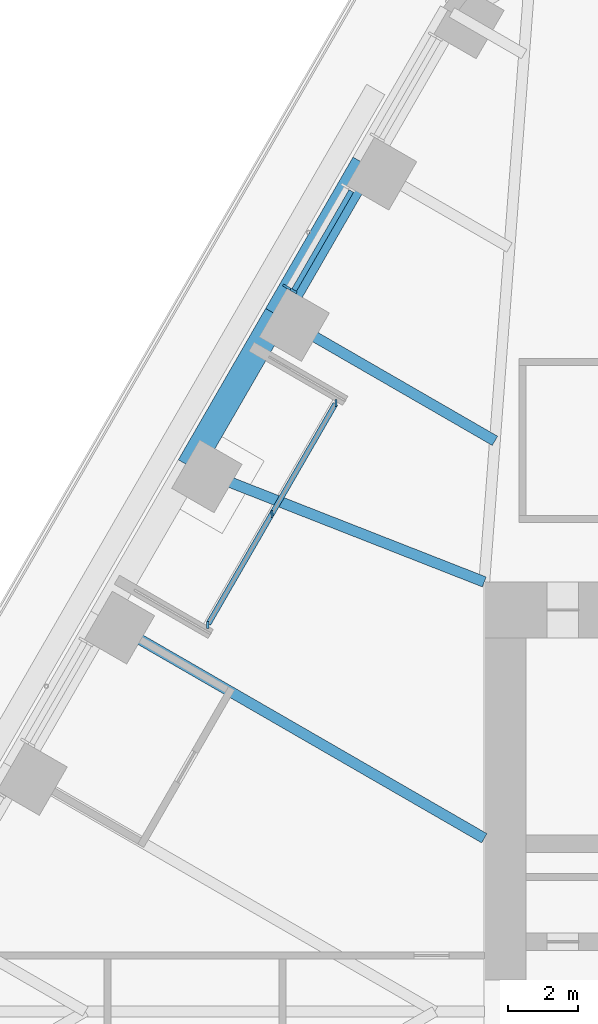
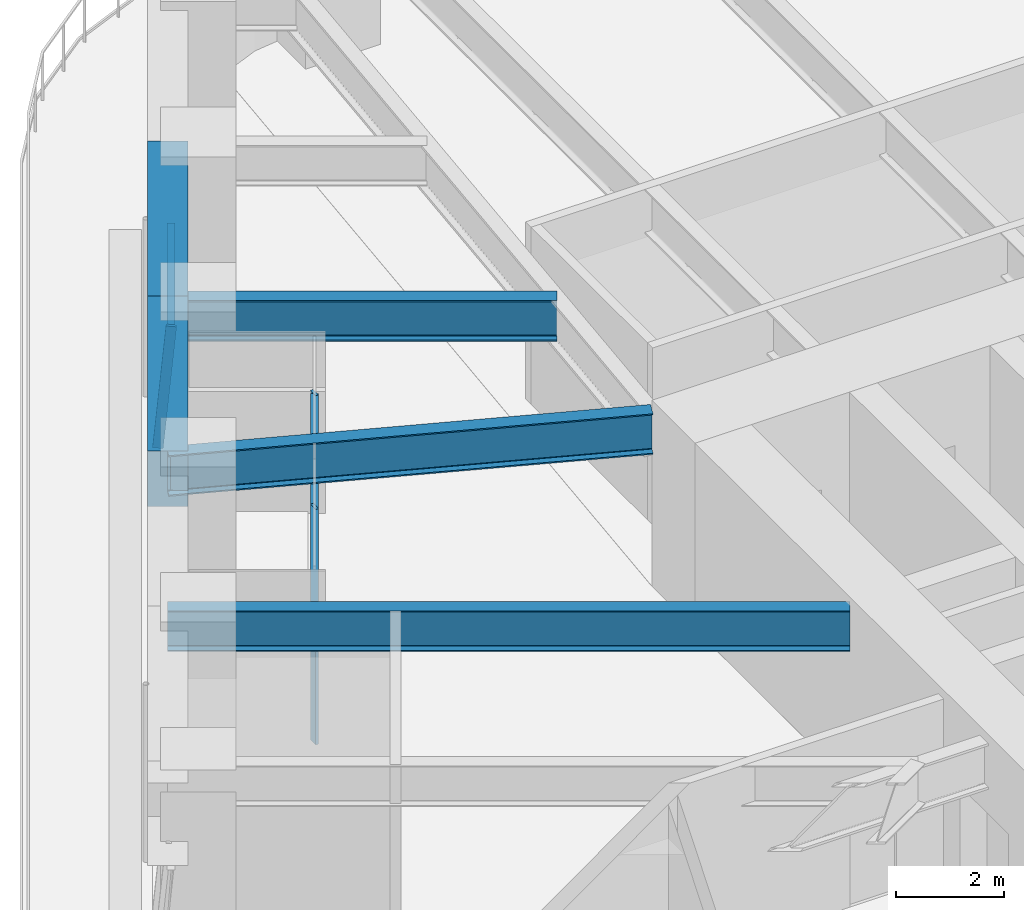
# One storey, part 8 of 24: 6 members, 5 beams, 2 elements without a shape of their own.
"""IFC4 building model written with IfcOpenShell, lengths in metres."""

from ifc_helpers import new_model, si_unit, direction, frame, origin, origin_2d, place, context, subcontext, project, spatial, rectangle, i_section, extrude, material, material_profile, profile_set, type_object, element, aggregate, save


model = new_model("IFC4")

# Units and contexts
model_context = context("Model", 3, precision=1e-05, world=origin(), true_north=direction((0.0, 1.0)))
body_context = subcontext(model_context, "Body", "Model", "MODEL_VIEW")
ifc_project = project(units=[si_unit("LENGTHUNIT", "METRE"), si_unit("AREAUNIT", "SQUARE_METRE"), si_unit("VOLUMEUNIT", "CUBIC_METRE"), si_unit("PLANEANGLEUNIT", "RADIAN"), si_unit("MASSUNIT", "GRAM", prefix="KILO")], contexts=[model_context])

# Site, building, storey
site_placement = place(None, origin())
site = spatial("IfcSite", under=ifc_project, at=site_placement, CompositionType="ELEMENT")
building_placement = place(site_placement, origin())
building = spatial("IfcBuilding", under=site, at=building_placement, Name="Tarfa Lantern Tower", CompositionType="ELEMENT")
storey_placement = place(building_placement, frame((0.0, 0.0, 174.10009765625)))
storey = spatial("IfcBuildingStorey", under=building, at=storey_placement, Name="L39", CompositionType="ELEMENT", Elevation=174.10009765625)

# Curtain wall, member
ifc_material_1 = material(Name="Aluminium framed curtain wall", Category="aluminium")
curtain_wall_type_1 = type_object("IfcCurtainWallType", Name="CW2 CANTED GLAZING MID ZONE 2750", PredefinedType="USERDEFINED", material=ifc_material_1)
curtain_wall_1_placement = place(storey_placement, origin())
curtain_wall_1 = element("IfcCurtainWall", 1, at=curtain_wall_1_placement, inside=storey, type_object=curtain_wall_type_1, Name="CW2 NW L39", ObjectType="CURTAIN WALL", PredefinedType="USERDEFINED")
ifc_material_2 = material(Name="Aluminium mullion", Category="aluminium")
ifc_material_profile_1 = material_profile(ifc_material_2, rectangle(XDim=0.06494140625, YDim=0.199951171875, at=origin_2d()), Name="AL MULLION 65x200")
ifc_profile_set_1 = profile_set([ifc_material_profile_1], Name="Aluminium mullion")
member_type_1 = type_object("IfcMemberType", Name="CWM1 MULLION 65x200", PredefinedType="MULLION", material=ifc_profile_set_1)
member_1_placement = place(storey_placement, frame((-24.275146484375, 20.75439453125, 0.0), z_axis=(0.078422950161, -0.045267813396, 0.995891894715), x_axis=(0.499919672301, 0.866071776036, 0.0)))
member_1 = element("IfcMember", 2, at=member_1_placement, type_object=member_type_1, Name="CW2 mullion 2", PredefinedType="MULLION", context=body_context, shape_type="SweptSolid", body=[
    extrude(rectangle(XDim=0.06494140625, YDim=0.199951171875, at=origin_2d()), origin(), (0.0, 0.0, 1.0), 2.76123046875),
])

# Curtain wall, members
curtain_wall_type_2 = type_object("IfcCurtainWallType", Name="CW10 LOGGIA GLAZING 2750", PredefinedType="USERDEFINED", material=ifc_material_1)
curtain_wall_2_placement = place(storey_placement, origin())
curtain_wall_2 = element("IfcCurtainWall", 3, at=curtain_wall_2_placement, inside=storey, type_object=curtain_wall_type_2, Name="CW10 NWL L39", ObjectType="CURTAIN WALL", PredefinedType="USERDEFINED")
member_2_placement = place(storey_placement, frame((-22.84619140625, 17.429443359375, 0.0), z_axis=(0.0, 0.0, 1.0), x_axis=(1.0, 0.0, 0.0)))
member_2 = element("IfcMember", 4, at=member_2_placement, type_object=member_type_1, Name="CW10 mullion 1", PredefinedType="MULLION", context=body_context, shape_type="SweptSolid", body=[
    extrude(rectangle(XDim=0.06494140625, YDim=0.199951171875, at=origin_2d()), origin(), (0.0, 0.0, 1.0), 2.75),
])
member_3_placement = place(storey_placement, frame((-24.681640625, 14.25, 0.0), z_axis=(0.0, 0.0, 1.0), x_axis=(1.0, 0.0, 0.0)))
member_3 = element("IfcMember", 5, at=member_3_placement, type_object=member_type_1, Name="CW10 mullion 2", PredefinedType="MULLION", context=body_context, shape_type="SweptSolid", body=[
    extrude(rectangle(XDim=0.06494140625, YDim=0.199951171875, at=origin_2d()), origin(), (0.0, 0.0, 1.0), 2.75),
])
member_4_placement = place(storey_placement, frame((-26.517333984375, 11.070556640625, 0.0), z_axis=(0.0, 0.0, 1.0), x_axis=(1.0, 0.0, 0.0)))
member_4 = element("IfcMember", 6, at=member_4_placement, type_object=member_type_1, Name="CW10 mullion 3", PredefinedType="MULLION", context=body_context, shape_type="SweptSolid", body=[
    extrude(rectangle(XDim=0.06494140625, YDim=0.199951171875, at=origin_2d()), origin(), (0.0, 0.0, 1.0), 2.75),
])

# Member
ifc_material_3 = material(Name="Aluminium transom", Category="aluminium")
ifc_material_profile_2 = material_profile(ifc_material_3, rectangle(XDim=0.14990234375, YDim=0.06494140625, at=origin_2d()), Name="AL TRANSOM 150x65")
ifc_profile_set_2 = profile_set([ifc_material_profile_2], Name="Aluminium transom")
member_type_2 = type_object("IfcMemberType", Name="CWT1 TRANSOM 150x65", PredefinedType="USERDEFINED", material=ifc_profile_set_2)
member_5_placement = place(storey_placement, frame((-22.407958984375, 23.494140625, 2.71728515625), z_axis=(-0.500012937857, -0.86601793398, 0.0), x_axis=(0.86601793398, -0.500012937857, 0.0)))
member_5 = element("IfcMember", 7, at=member_5_placement, type_object=member_type_2, Name="CW2 transom 1.2", ObjectType="TRANSOM", PredefinedType="USERDEFINED", context=body_context, shape_type="SweptSolid", body=[
    extrude(rectangle(XDim=0.14990234375, YDim=0.06494140625, at=origin_2d()), origin(), (0.0, 0.0, 1.0), 3.27392578125),
])

aggregate(curtain_wall_1, [member_1, member_5])

member_6_placement = place(storey_placement, frame((-22.8623046875, 17.401123046875, 2.71728515625), z_axis=(-0.500007048974, -0.866021334019, 0.0), x_axis=(0.866021334019, -0.500007048974, 0.0)))
member_6 = element("IfcMember", 8, at=member_6_placement, type_object=member_type_2, Name="CW10 transom 1.2", ObjectType="TRANSOM", PredefinedType="USERDEFINED", context=body_context, shape_type="SweptSolid", body=[
    extrude(rectangle(XDim=0.14990234375, YDim=0.06494140625, at=origin_2d()), origin(), (0.0, 0.0, 1.0), 7.27734375),
])

aggregate(curtain_wall_2, [member_2, member_3, member_4, member_6])

# Beams
ifc_material_4 = material(Name="Concrete C80/95", Category="concrete")
ifc_material_profile_3 = material_profile(ifc_material_4, rectangle(XDim=0.75, YDim=1.25, at=origin_2d()), Name="RC 750x1250")
ifc_profile_set_3 = profile_set([ifc_material_profile_3], Name="Concrete C80/95")
beam_type_1 = type_object("IfcBeamType", Name="EB2 RC 750x1250", PredefinedType="SPANDREL", material=ifc_profile_set_3)
for number, where, z_axis, x_axis, name in (
    (9, (-22.03369140625, 24.276611328125, 3.375), (-0.49998573051, -0.866033642122, 0.0), (0.866033642122, -0.49998573051, 0.0), "Edge beam NW1"),
    (10, (-24.535400390625, 19.943359375, 3.375), (-0.500022324899, -0.866012514114, 0.0), (0.866012514114, -0.500022324899, 0.0), "Edge beam NW2"),
):
    element("IfcBeam", number, at=place(storey_placement, frame(where, z_axis=z_axis, x_axis=x_axis)), inside=storey, type_object=beam_type_1, Name=name, PredefinedType="SPANDREL", context=body_context, shape_type="SweptSolid", body=[
        extrude(rectangle(XDim=0.75, YDim=1.25, at=origin_2d()), origin(), (0.0, 0.0, 1.0), 5.003662109375),
    ])
ifc_material_5 = material(Name="Steel S460M", Category="steel")
ifc_material_profile_4 = material_profile(ifc_material_5, i_section(OverallWidth=0.305419921875, OverallDepth=0.91845703125, WebThickness=0.017333984375, FlangeThickness=0.02783203125, FilletRadius=0.01904296875, at=origin_2d()), Name="UB914x305x253")
ifc_profile_set_4 = profile_set([ifc_material_profile_4], Name="Steel S460M")
beam_type_2 = type_object("IfcBeamType", Name="UB914x305x253", PredefinedType="BEAM", material=ifc_profile_set_4)
beam_1_placement = place(storey_placement, frame((-24.535400390625, 19.943359375, 3.540771484375), z_axis=(0.86602647304, -0.499998147991, 0.0), x_axis=(0.499998147991, 0.86602647304, 0.0)))
element("IfcBeam", 11, at=beam_1_placement, inside=storey, type_object=beam_type_2, Name="Floor beam NW2", PredefinedType="BEAM", context=body_context, shape_type="SweptSolid", body=[
    extrude(i_section(OverallWidth=0.305419921875, OverallDepth=0.91845703125, WebThickness=0.017333984375, FlangeThickness=0.02783203125, FilletRadius=0.01904296875, at=origin_2d()), origin(), (0.0, 0.0, 1.0), 7.20556640625),
])
beam_2_placement = place(storey_placement, frame((-27.037353515625, 15.610107421875, 3.540771484375), z_axis=(0.930923282782, -0.365214788274, 0.0), x_axis=(0.365214788274, 0.930923282782, 0.0)))
element("IfcBeam", 12, at=beam_2_placement, inside=storey, type_object=beam_type_2, Name="Floor beam NW3", PredefinedType="BEAM", context=body_context, shape_type="SweptSolid", body=[
    extrude(i_section(OverallWidth=0.305419921875, OverallDepth=0.91845703125, WebThickness=0.017333984375, FlangeThickness=0.02783203125, FilletRadius=0.01904296875, at=origin_2d()), origin(), (0.0, 0.0, 1.0), 9.063232421875),
])
beam_3_placement = place(storey_placement, frame((-29.5390625, 11.276611328125, 3.540771484375), z_axis=(0.866023362995, -0.500003534735, 0.0), x_axis=(0.500003534735, 0.866023362995, 0.0)))
element("IfcBeam", 13, at=beam_3_placement, inside=storey, type_object=beam_type_2, Name="Floor beam NW4", PredefinedType="BEAM", context=body_context, shape_type="SweptSolid", body=[
    extrude(i_section(OverallWidth=0.305419921875, OverallDepth=0.91845703125, WebThickness=0.017333984375, FlangeThickness=0.02783203125, FilletRadius=0.01904296875, at=origin_2d()), origin(), (0.0, 0.0, 1.0), 12.63134765625),
])

save(model, "model.ifc")
